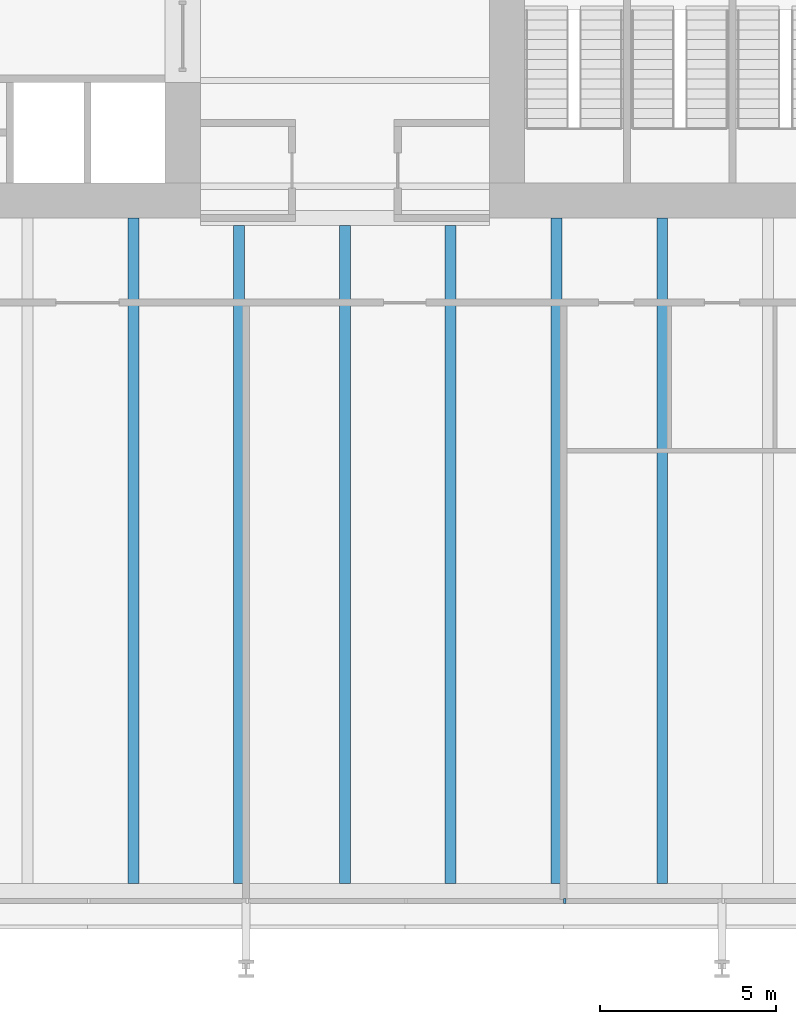
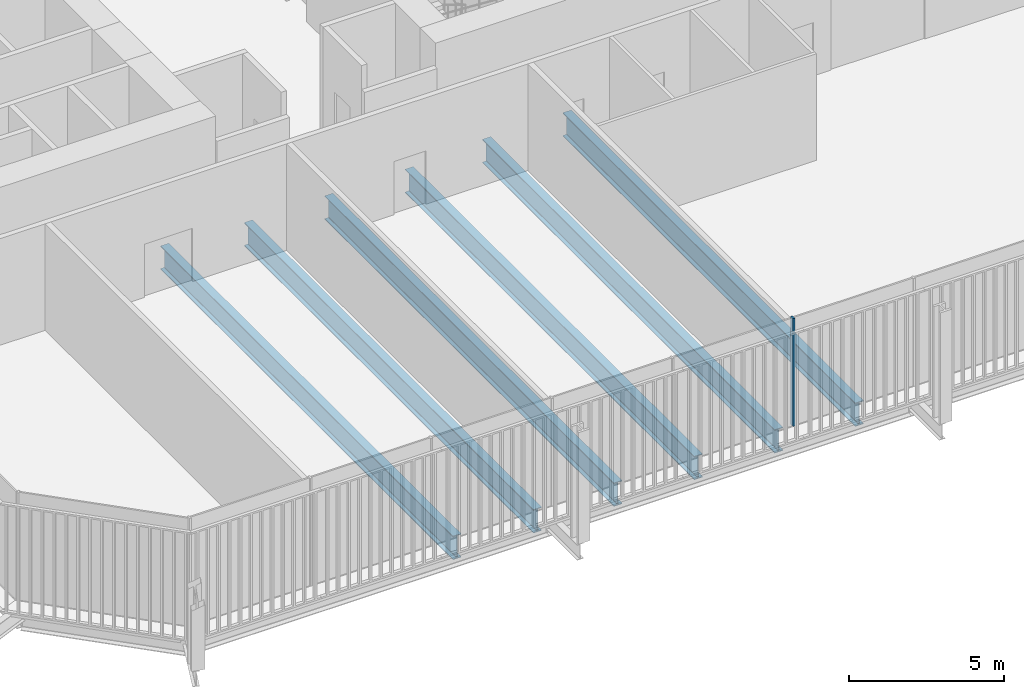
# One storey, part 4 of 20: 6 beams, 1 member, 1 element without a shape of its own.
"""IFC4 building model written with IfcOpenShell, lengths in metres."""

from ifc_helpers import new_model, si_unit, direction, frame, origin, origin_2d, place, context, subcontext, project, spatial, rectangle, i_section, extrude, material, layer, layer_set, material_profile, profile_set, type_object, element, aggregate, save


model = new_model("IFC4")

# Units and contexts
model_context = context("Model", 3, precision=1e-05, world=origin(), true_north=direction((0.0, 1.0)))
body_context = subcontext(model_context, "Body", "Model", "MODEL_VIEW")
ifc_project = project(units=[si_unit("LENGTHUNIT", "METRE"), si_unit("AREAUNIT", "SQUARE_METRE"), si_unit("VOLUMEUNIT", "CUBIC_METRE"), si_unit("PLANEANGLEUNIT", "RADIAN"), si_unit("MASSUNIT", "GRAM", prefix="KILO")], contexts=[model_context])

# Site, building, storey
site_placement = place(None, origin())
site = spatial("IfcSite", under=ifc_project, at=site_placement, CompositionType="ELEMENT")
building_placement = place(site_placement, origin())
building = spatial("IfcBuilding", under=site, at=building_placement, Name="Millrace Tower", CompositionType="ELEMENT")
storey_placement = place(building_placement, frame((0.0, 0.0, 99.60009765625)))
storey = spatial("IfcBuildingStorey", under=building, at=storey_placement, Name="L22", CompositionType="ELEMENT", Elevation=99.60009765625)

# Curtain wall, member
ifc_material_1 = material(Name="Aluminium and glass", Category="aluminium")
ifc_layer = layer(ifc_material_1, 0.14990234375)
ifc_layer_set = layer_set([ifc_layer], Name="Aluminium and glass")
curtain_wall_type = type_object("IfcCurtainWallType", Name="CW-3 telecom floor curtain wall", PredefinedType="NOTDEFINED", material=ifc_layer_set)
curtain_wall_placement = place(storey_placement, origin())
curtain_wall = element("IfcCurtainWall", 1, at=curtain_wall_placement, inside=storey, type_object=curtain_wall_type, Name="Curtain wall B-F02 L22", PredefinedType="NOTDEFINED")
ifc_material_2 = material(Name="Aluminium", Category="aluminium")
ifc_material_profile_1 = material_profile(ifc_material_2, rectangle(XDim=0.06494140625, YDim=0.14990234375, at=origin_2d()))
ifc_profile_set_1 = profile_set([ifc_material_profile_1], Name="Aluminium")
member_type = type_object("IfcMemberType", Name="CW-3 telecom floor curtain wall mullion", PredefinedType="MULLION", material=ifc_profile_set_1)
member_placement = place(storey_placement, frame((6.232421875, -29.27490234375, 0.14990234375), z_axis=(0.0, 0.0, 1.0), x_axis=(1.0, 0.0, 0.0)))
member = element("IfcMember", 2, at=member_placement, type_object=member_type, Name="CW3 mullion B-F02.6", PredefinedType="MULLION", context=body_context, shape_type="SweptSolid", body=[
    extrude(rectangle(XDim=0.06494140625, YDim=0.14990234375, at=origin_2d()), origin(), (0.0, 0.0, 1.0), 4.25),
])
aggregate(curtain_wall, [member])

# Beams
ifc_material_3 = material(Name="Steel ASTM A992 Grade 50", Category="steel")
ifc_material_profile_2 = material_profile(ifc_material_3, i_section(OverallWidth=0.307373046875, OverallDepth=0.927001953125, WebThickness=0.01953125, FlangeThickness=0.031982421875, FilletRadius=0.01904296875, at=origin_2d()))
ifc_profile_set_2 = profile_set([ifc_material_profile_2], Name="Steel ASTM A992 Grade 50")
beam_type = type_object("IfcBeamType", Name="Floor beam W36x194", PredefinedType="JOIST", material=ifc_profile_set_2)
beam_placement = place(storey_placement, frame((-6.0, -28.781005859375, -0.66357421875), z_axis=(0.0, 1.0, 0.0), x_axis=(-1.0, 0.0, 0.0)))
element("IfcBeam", 3, at=beam_placement, inside=storey, type_object=beam_type, Name="BM-B-L22-S1-S045", PredefinedType="JOIST", context=body_context, shape_type="SweptSolid", body=[
    extrude(i_section(OverallWidth=0.307373046875, OverallDepth=0.927001953125, WebThickness=0.01953125, FlangeThickness=0.031982421875, FilletRadius=0.01904296875, at=origin_2d()), origin(), (0.0, 0.0, 1.0), 18.881103515625),
])
for number, where, z_axis, x_axis, name in (
    (4, (-3.0, -28.781005859375, -0.66357421875), (0.0, 1.0, 0.0), (-1.0, 0.0, 0.0), "BM-B-L22-S1-S047"),
    (5, (0.0, -28.781005859375, -0.66357421875), (0.0, 1.0, 0.0), (-1.0, 0.0, 0.0), "BM-B-L22-S1-S049"),
    (6, (3.0, -28.781005859375, -0.66357421875), (0.0, 1.0, 0.0), (-1.0, 0.0, 0.0), "BM-B-L22-S1-S051"),
):
    element("IfcBeam", number, at=place(storey_placement, frame(where, z_axis=z_axis, x_axis=x_axis)), inside=storey, type_object=beam_type, Name=name, PredefinedType="JOIST", context=body_context, shape_type="SweptSolid", body=[
        extrude(i_section(OverallWidth=0.307373046875, OverallDepth=0.927001953125, WebThickness=0.01953125, FlangeThickness=0.031982421875, FilletRadius=0.01904296875, at=origin_2d()), origin(), (0.0, 0.0, 1.0), 18.670166015625),
    ])
for number, where, z_axis, x_axis, name in (
    (7, (6.0, -28.781005859375, -0.66357421875), (0.0, 1.0, 0.0), (-1.0, 0.0, 0.0), "BM-B-L22-S1-S053"),
    (8, (9.0, -28.781005859375, -0.66357421875), (0.0, 1.0, 0.0), (-1.0, 0.0, 0.0), "BM-B-L22-S1-S055"),
):
    element("IfcBeam", number, at=place(storey_placement, frame(where, z_axis=z_axis, x_axis=x_axis)), inside=storey, type_object=beam_type, Name=name, PredefinedType="JOIST", context=body_context, shape_type="SweptSolid", body=[
        extrude(i_section(OverallWidth=0.307373046875, OverallDepth=0.927001953125, WebThickness=0.01953125, FlangeThickness=0.031982421875, FilletRadius=0.01904296875, at=origin_2d()), origin(), (0.0, 0.0, 1.0), 18.881103515625),
    ])

save(model, "model.ifc")
